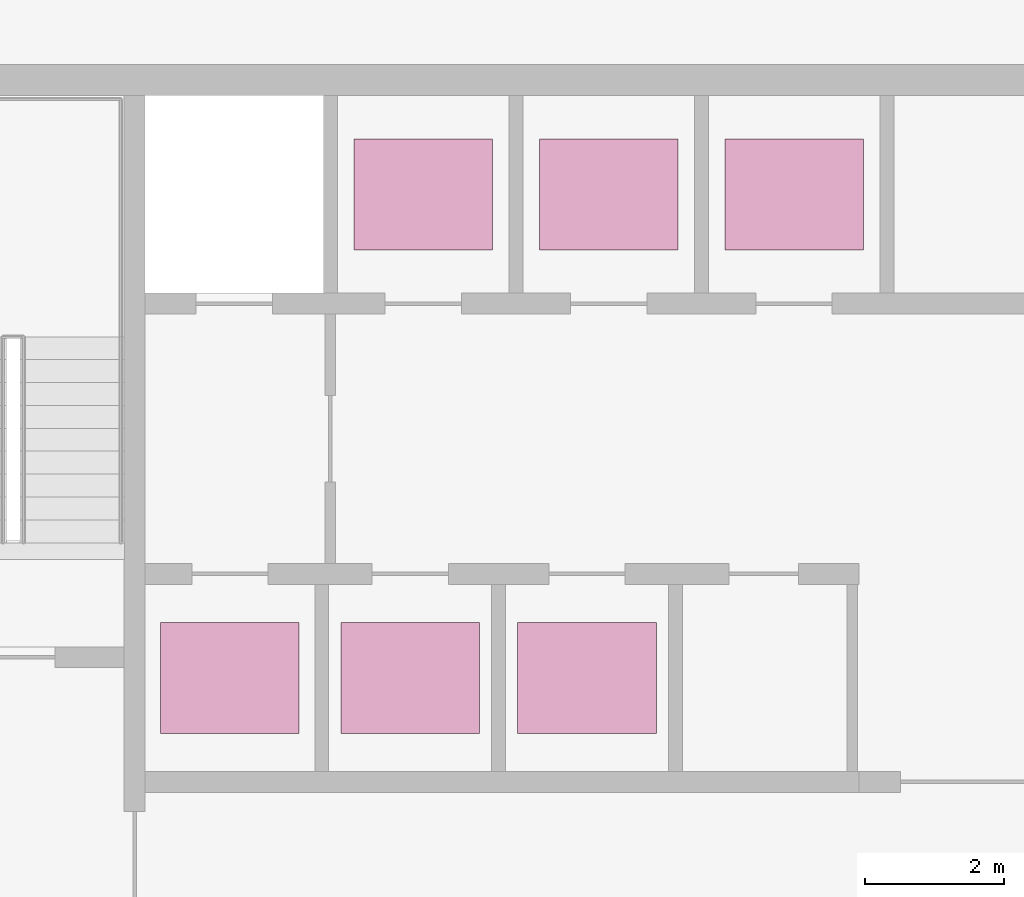
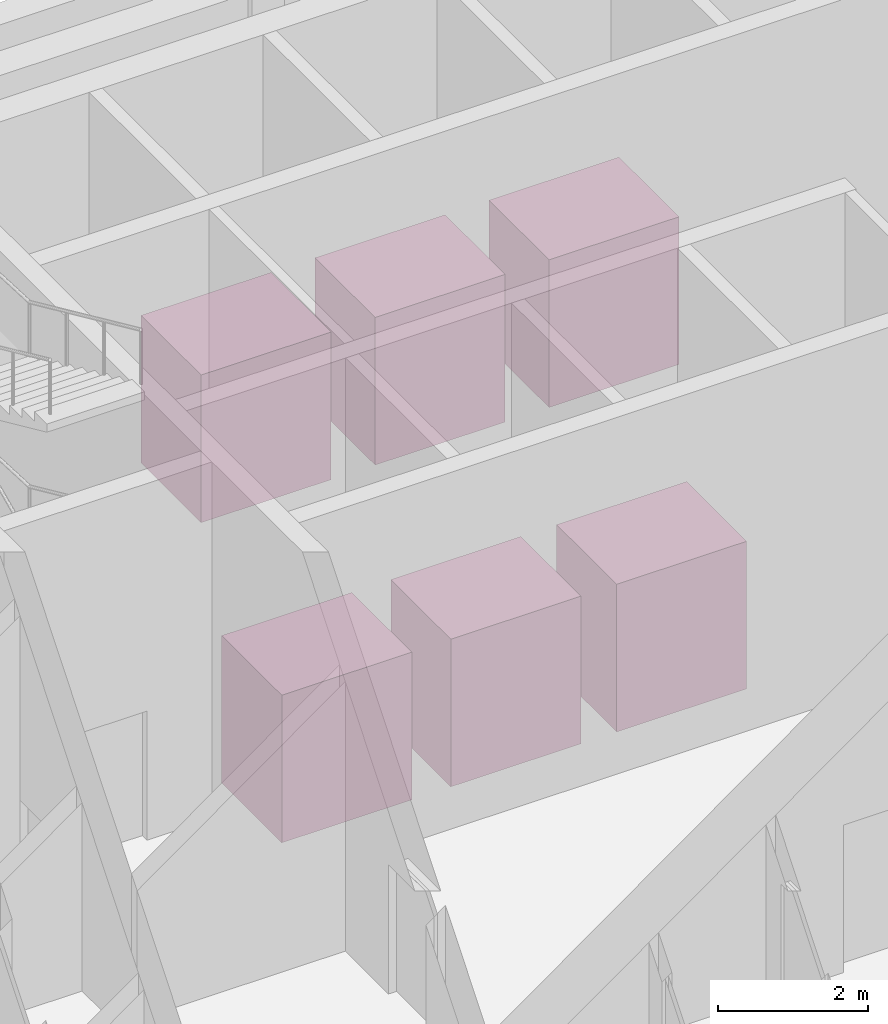
# One storey, part 14 of 14: 6 transport elements.
"""IFC4 building model written with IfcOpenShell, lengths in metres."""

from ifc_helpers import new_model, si_unit, direction, frame, origin, origin_2d, place, context, subcontext, project, spatial, rectangle, extrude, material, type_object, element, save


model = new_model("IFC4")

# Units and contexts
model_context = context("Model", 3, precision=1e-05, world=origin(), true_north=direction((0.0, 1.0)))
body_context = subcontext(model_context, "Body", "Model", "MODEL_VIEW")
ifc_project = project(units=[si_unit("LENGTHUNIT", "METRE"), si_unit("AREAUNIT", "SQUARE_METRE"), si_unit("VOLUMEUNIT", "CUBIC_METRE"), si_unit("PLANEANGLEUNIT", "RADIAN"), si_unit("MASSUNIT", "GRAM", prefix="KILO")], contexts=[model_context])

# Site, building, storey
site_placement = place(None, origin())
site = spatial("IfcSite", under=ifc_project, at=site_placement, CompositionType="ELEMENT")
building_placement = place(site_placement, origin())
building = spatial("IfcBuilding", under=site, at=building_placement, Name="Njiva Tower", CompositionType="ELEMENT")
storey_placement = place(building_placement, frame((0.0, 0.0, 239.4)))
storey = spatial("IfcBuildingStorey", under=building, at=storey_placement, Name="L54", CompositionType="ELEMENT", Elevation=239.4)

# Transport elements
ifc_material = material(Name="Stainless steel car", Category="steel")
transport_element_type = type_object("IfcTransportElementType", Name="LF1 Passenger lift 1600 kg", PredefinedType="ELEVATOR", material=ifc_material)
for number, where, z_axis, x_axis, name in (
    (1, (-6.6875, 16.125, 0.0), (0.0, 0.0, 1.0), (1.0, 0.0, 0.0), "Lift HB4 car"),
    (2, (-4.0125, 16.125, 0.0), (0.0, 0.0, 1.0), (1.0, 0.0, 0.0), "Lift HB5 car"),
    (3, (-1.3375, 16.125, 0.0), (0.0, 0.0, 1.0), (1.0, 0.0, 0.0), "Lift HB6 car"),
    (4, (-9.475, 9.15, 0.0), (0.0, 0.0, 1.0), (1.0, 0.0, 0.0), "Lift HB1 car"),
    (5, (-6.875, 9.15, 0.0), (0.0, 0.0, 1.0), (1.0, 0.0, 0.0), "Lift HB2 car"),
    (6, (-4.325, 9.15, 0.0), (0.0, 0.0, 1.0), (1.0, 0.0, 0.0), "Lift HB3 car"),
):
    element("IfcTransportElement", number, at=place(storey_placement, frame(where, z_axis=z_axis, x_axis=x_axis)), inside=storey, type_object=transport_element_type, Name=name, PredefinedType="ELEVATOR", context=body_context, shape_type="SweptSolid", body=[
        extrude(rectangle(XDim=2.0, YDim=1.6, at=origin_2d()), origin(), (0.0, 0.0, 1.0), 2.4),
    ])

save(model, "model.ifc")
